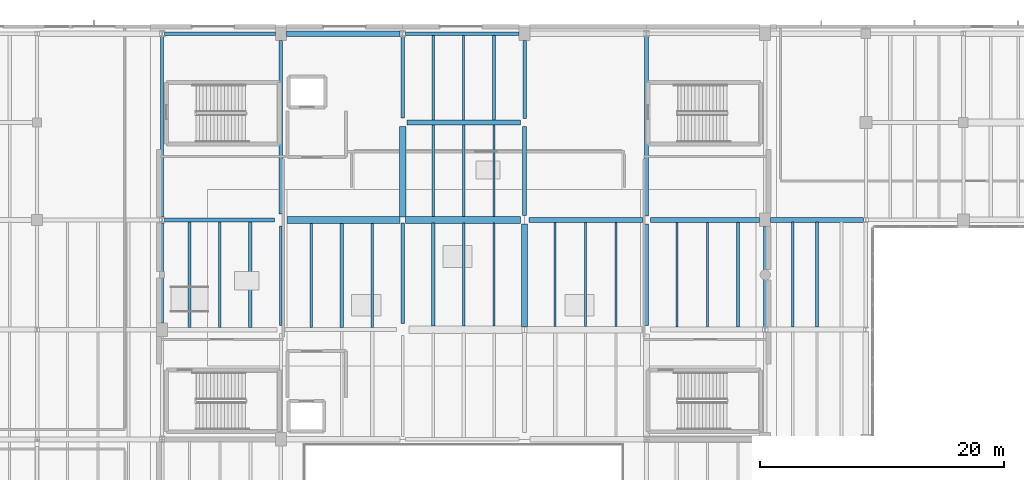
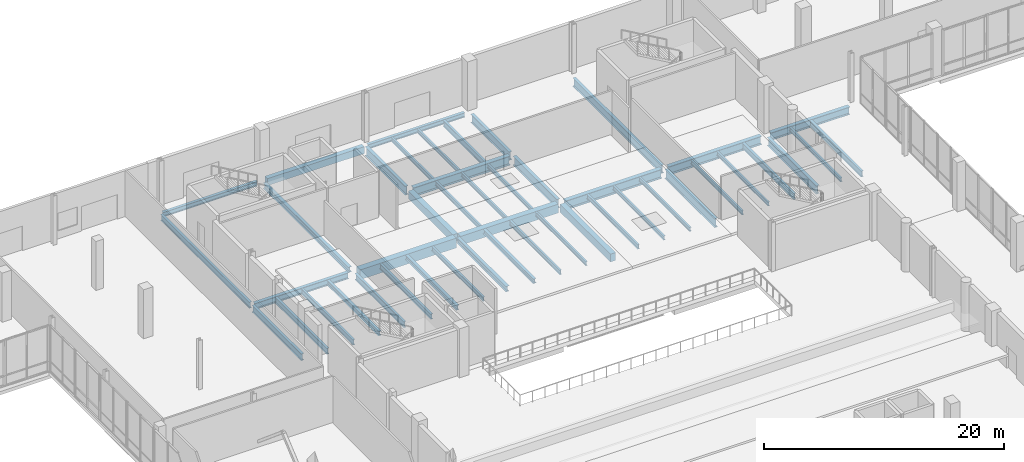
# One storey, part 47 of 88: 46 beams.
"""IFC4 building model written with IfcOpenShell, lengths in metres."""

from ifc_helpers import new_model, si_unit, direction, frame, origin, origin_2d, place, context, subcontext, project, spatial, rectangle, i_section, extrude, material, material_profile, profile_set, type_object, element, save


model = new_model("IFC4")

# Units and contexts
model_context = context("Model", 3, precision=1e-05, world=origin(), true_north=direction((0.0, 1.0)))
body_context = subcontext(model_context, "Body", "Model", "MODEL_VIEW")
ifc_project = project(units=[si_unit("LENGTHUNIT", "METRE"), si_unit("AREAUNIT", "SQUARE_METRE"), si_unit("VOLUMEUNIT", "CUBIC_METRE"), si_unit("PLANEANGLEUNIT", "RADIAN"), si_unit("MASSUNIT", "GRAM", prefix="KILO")], contexts=[model_context])

# Site, building, storey
site_placement = place(None, origin())
site = spatial("IfcSite", under=ifc_project, at=site_placement, CompositionType="ELEMENT")
building_placement = place(site_placement, origin())
building = spatial("IfcBuilding", under=site, at=building_placement, Name="Trimount Lyric Opera House", CompositionType="ELEMENT")
storey_placement = place(building_placement, origin())
storey = spatial("IfcBuildingStorey", under=building, at=storey_placement, Name="L00", CompositionType="ELEMENT", Elevation=0.0)

# Beams
ifc_material_1 = material(Name="Steel ASTM A992 Grade 50", Category="steel")
ifc_material_profile_1 = material_profile(ifc_material_1, i_section(OverallWidth=0.4189453125, OverallDepth=0.927001953125, WebThickness=0.019287109375, FlangeThickness=0.031982421875, FilletRadius=0.02392578125, at=origin_2d()), Name="W36X231")
ifc_profile_set_1 = profile_set([ifc_material_profile_1], Name="Steel ASTM A992 Grade 50")
beam_type_1 = type_object("IfcBeamType", Name="B-02", PredefinedType="BEAM", material=ifc_profile_set_1)
for number, where, z_axis, x_axis, name in (
    (1, (94.35009765625, 102.0, -0.863525390625), (1.0, 0.0, 0.0), (0.0, 1.0, 0.0), "L00 girder X-0196"),
    (2, (84.35009765625, 110.0, -0.863525390625), (1.0, 0.0, 0.0), (0.0, 1.0, 0.0), "L00 girder X-0211"),
):
    element("IfcBeam", number, at=place(storey_placement, frame(where, z_axis=z_axis, x_axis=x_axis)), inside=storey, type_object=beam_type_1, Name=name, PredefinedType="BEAM", context=body_context, shape_type="SweptSolid", body=[
        extrude(i_section(OverallWidth=0.4189453125, OverallDepth=0.927001953125, WebThickness=0.019287109375, FlangeThickness=0.031982421875, FilletRadius=0.02392578125, at=origin_2d()), origin(), (0.0, 0.0, 1.0), 9.324951171875),
    ])
ifc_material_2 = material(Name="Steel ASTM A992 Grade 50", Category="steel")
ifc_material_profile_2 = material_profile(ifc_material_2, i_section(OverallWidth=0.304931640625, OverallDepth=0.9189453125, WebThickness=0.017333984375, FlangeThickness=0.02783203125, FilletRadius=0.02001953125, at=origin_2d()), Name="W36X170")
ifc_profile_set_2 = profile_set([ifc_material_profile_2], Name="Steel ASTM A992 Grade 50")
beam_type_2 = type_object("IfcBeamType", Name="B-03", PredefinedType="BEAM", material=ifc_profile_set_2)
beam_1_placement = place(storey_placement, frame((84.0, 110.35009765625, -0.859619140625), z_axis=(0.0, 1.0, 0.0), x_axis=(-1.0, 0.0, 0.0)))
element("IfcBeam", 3, at=beam_1_placement, inside=storey, type_object=beam_type_2, Name="L00 girder Y-0344", PredefinedType="BEAM", context=body_context, shape_type="SweptSolid", body=[
    extrude(i_section(OverallWidth=0.304931640625, OverallDepth=0.9189453125, WebThickness=0.017333984375, FlangeThickness=0.02783203125, FilletRadius=0.02001953125, at=origin_2d()), origin(), (0.0, 0.0, 1.0), 6.697509765625),
])
beam_2_placement = place(storey_placement, frame((94.0, 102.35009765625, -0.859619140625), z_axis=(0.0, 1.0, 0.0), x_axis=(-1.0, 0.0, 0.0)))
element("IfcBeam", 4, at=beam_2_placement, inside=storey, type_object=beam_type_2, Name="L00 girder Y-0355", PredefinedType="BEAM", context=body_context, shape_type="SweptSolid", body=[
    extrude(i_section(OverallWidth=0.304931640625, OverallDepth=0.9189453125, WebThickness=0.017333984375, FlangeThickness=0.02783203125, FilletRadius=0.02001953125, at=origin_2d()), origin(), (0.0, 0.0, 1.0), 7.324951171875),
])
beam_3_placement = place(storey_placement, frame((104.0, 93.35009765625, -0.859619140625), z_axis=(0.0, 1.0, 0.0), x_axis=(-1.0, 0.0, 0.0)))
element("IfcBeam", 5, at=beam_3_placement, inside=storey, type_object=beam_type_2, Name="L00 girder Y-0367", PredefinedType="BEAM", context=body_context, shape_type="SweptSolid", body=[
    extrude(i_section(OverallWidth=0.304931640625, OverallDepth=0.9189453125, WebThickness=0.017333984375, FlangeThickness=0.02783203125, FilletRadius=0.02001953125, at=origin_2d()), origin(), (0.0, 0.0, 1.0), 8.324951171875),
])
ifc_material_3 = material(Name="Steel ASTM A992 Grade 50", Category="steel")
ifc_material_profile_3 = material_profile(ifc_material_3, i_section(OverallWidth=0.40087890625, OverallDepth=0.861083984375, WebThickness=0.019775390625, FlangeThickness=0.032470703125, FilletRadius=0.02001953125, at=origin_2d()), Name="W33X221")
ifc_profile_set_3 = profile_set([ifc_material_profile_3], Name="Steel ASTM A992 Grade 50")
beam_type_3 = type_object("IfcBeamType", Name="B-04", PredefinedType="BEAM", material=ifc_profile_set_3)
beam_4_placement = place(storey_placement, frame((104.324951171875, 102.0, -0.83056640625), z_axis=(1.0, 0.0, 0.0), x_axis=(0.0, 1.0, 0.0)))
element("IfcBeam", 6, at=beam_4_placement, inside=storey, type_object=beam_type_3, Name="L00 girder X-0197", PredefinedType="BEAM", context=body_context, shape_type="SweptSolid", body=[
    extrude(i_section(OverallWidth=0.40087890625, OverallDepth=0.861083984375, WebThickness=0.019775390625, FlangeThickness=0.032470703125, FilletRadius=0.02001953125, at=origin_2d()), origin(), (0.0, 0.0, 1.0), 8.965087890625),
])
ifc_material_4 = material(Name="Steel ASTM A992 Grade 50", Category="steel")
ifc_material_profile_4 = material_profile(ifc_material_4, i_section(OverallWidth=0.2919921875, OverallDepth=0.845947265625, WebThickness=0.015380859375, FlangeThickness=0.0244140625, FilletRadius=0.01806640625, at=origin_2d()), Name="W33X141")
ifc_profile_set_4 = profile_set([ifc_material_profile_4], Name="Steel ASTM A992 Grade 50")
beam_type_4 = type_object("IfcBeamType", Name="B-05", PredefinedType="BEAM", material=ifc_profile_set_4)
beam_5_placement = place(storey_placement, frame((94.0, 110.324951171875, -0.822998046875), z_axis=(0.0, 1.0, 0.0), x_axis=(-1.0, 0.0, 0.0)))
element("IfcBeam", 7, at=beam_5_placement, inside=storey, type_object=beam_type_4, Name="L00 girder Y-0356", PredefinedType="BEAM", context=body_context, shape_type="SweptSolid", body=[
    extrude(i_section(OverallWidth=0.2919921875, OverallDepth=0.845947265625, WebThickness=0.015380859375, FlangeThickness=0.0244140625, FilletRadius=0.01806640625, at=origin_2d()), origin(), (0.0, 0.0, 1.0), 6.405029296875),
])
beam_6_placement = place(storey_placement, frame((104.0, 102.324951171875, -0.822998046875), z_axis=(0.0, 1.0, 0.0), x_axis=(-1.0, 0.0, 0.0)))
element("IfcBeam", 8, at=beam_6_placement, inside=storey, type_object=beam_type_4, Name="L00 girder Y-0368", PredefinedType="BEAM", context=body_context, shape_type="SweptSolid", body=[
    extrude(i_section(OverallWidth=0.2919921875, OverallDepth=0.845947265625, WebThickness=0.015380859375, FlangeThickness=0.0244140625, FilletRadius=0.01806640625, at=origin_2d()), origin(), (0.0, 0.0, 1.0), 14.72265625),
])
beam_7_placement = place(storey_placement, frame((113.739990234375, 93.232421875, -0.822998046875), z_axis=(0.0, 1.0, 0.0), x_axis=(-1.0, 0.0, 0.0)))
element("IfcBeam", 9, at=beam_7_placement, inside=storey, type_object=beam_type_4, Name="L00 girder Y-0379", PredefinedType="BEAM", context=body_context, shape_type="SweptSolid", body=[
    extrude(i_section(OverallWidth=0.2919921875, OverallDepth=0.845947265625, WebThickness=0.015380859375, FlangeThickness=0.0244140625, FilletRadius=0.01806640625, at=origin_2d()), origin(), (0.0, 0.0, 1.0), 8.217529296875),
])
ifc_material_5 = material(Name="Steel ASTM A992 Grade 50", Category="steel")
ifc_material_profile_5 = material_profile(ifc_material_5, i_section(OverallWidth=0.382080078125, OverallDepth=0.779052734375, WebThickness=0.01806640625, FlangeThickness=0.0302734375, FilletRadius=0.01904296875, at=origin_2d()), Name="W30X191")
ifc_profile_set_5 = profile_set([ifc_material_profile_5], Name="Steel ASTM A992 Grade 50")
beam_type_5 = type_object("IfcBeamType", Name="B-06", PredefinedType="BEAM", material=ifc_profile_set_5)
beam_8_placement = place(storey_placement, frame((114.18994140625, 102.0, -0.78955078125), z_axis=(1.0, 0.0, 0.0), x_axis=(0.0, 1.0, 0.0)))
element("IfcBeam", 10, at=beam_8_placement, inside=storey, type_object=beam_type_5, Name="L00 girder X-0198", PredefinedType="BEAM", context=body_context, shape_type="SweptSolid", body=[
    extrude(i_section(OverallWidth=0.382080078125, OverallDepth=0.779052734375, WebThickness=0.01806640625, FlangeThickness=0.0302734375, FilletRadius=0.01904296875, at=origin_2d()), origin(), (0.0, 0.0, 1.0), 7.610595703125),
])
ifc_material_6 = material(Name="Steel ASTM A992 Grade 50", Category="steel")
ifc_material_profile_6 = material_profile(ifc_material_6, i_section(OverallWidth=0.25390625, OverallDepth=0.68798828125, WebThickness=0.01318359375, FlangeThickness=0.02099609375, FilletRadius=0.01611328125, at=origin_2d()), Name="W27X102")
ifc_profile_set_6 = profile_set([ifc_material_profile_6], Name="Steel ASTM A992 Grade 50")
beam_type_6 = type_object("IfcBeamType", Name="B-09", PredefinedType="BEAM", material=ifc_profile_set_6)
beam_9_placement = place(storey_placement, frame((64.260009765625, 93.550048828125, -0.743896484375), z_axis=(0.0, 1.0, 0.0), x_axis=(-1.0, 0.0, 0.0)))
element("IfcBeam", 11, at=beam_9_placement, inside=storey, type_object=beam_type_6, Name="L00 girder Y-0319", PredefinedType="BEAM", context=body_context, shape_type="SweptSolid", body=[
    extrude(i_section(OverallWidth=0.25390625, OverallDepth=0.68798828125, WebThickness=0.01318359375, FlangeThickness=0.02099609375, FilletRadius=0.01611328125, at=origin_2d()), origin(), (0.0, 0.0, 1.0), 8.217529296875),
])
ifc_material_7 = material(Name="Steel ASTM A992 Grade 50", Category="steel")
ifc_material_profile_7 = material_profile(ifc_material_7, i_section(OverallWidth=0.327880859375, OverallDepth=0.626953125, WebThickness=0.0166015625, FlangeThickness=0.027587890625, FilletRadius=0.01611328125, at=origin_2d()), Name="W24X146")
ifc_profile_set_7 = profile_set([ifc_material_profile_7], Name="Steel ASTM A992 Grade 50")
beam_type_7 = type_object("IfcBeamType", Name="B-10", PredefinedType="BEAM", material=ifc_profile_set_7)
beam_10_placement = place(storey_placement, frame((64.470947265625, 102.0, -0.71337890625), z_axis=(1.0, 0.0, 0.0), x_axis=(0.0, 1.0, 0.0)))
element("IfcBeam", 12, at=beam_10_placement, inside=storey, type_object=beam_type_7, Name="L00 girder X-0193", PredefinedType="BEAM", context=body_context, shape_type="SweptSolid", body=[
    extrude(i_section(OverallWidth=0.327880859375, OverallDepth=0.626953125, WebThickness=0.0166015625, FlangeThickness=0.027587890625, FilletRadius=0.01611328125, at=origin_2d()), origin(), (0.0, 0.0, 1.0), 9.029052734375),
])
ifc_material_8 = material(Name="Steel ASTM A992 Grade 50", Category="steel")
ifc_material_profile_8 = material_profile(ifc_material_8, i_section(OverallWidth=0.22998046875, OverallDepth=0.616943359375, WebThickness=0.01318359375, FlangeThickness=0.022216796875, FilletRadius=0.013916015625, at=origin_2d()), Name="W24X94")
ifc_profile_set_8 = profile_set([ifc_material_profile_8], Name="Steel ASTM A992 Grade 50")
beam_type_8 = type_object("IfcBeamType", Name="B-11", PredefinedType="BEAM", material=ifc_profile_set_8)
beam_11_placement = place(storey_placement, frame((64.260009765625, 102.232421875, -0.70849609375), z_axis=(0.0, 1.0, 0.0), x_axis=(-1.0, 0.0, 0.0)))
element("IfcBeam", 13, at=beam_11_placement, inside=storey, type_object=beam_type_8, Name="L00 girder Y-0320", PredefinedType="BEAM", context=body_context, shape_type="SweptSolid", body=[
    extrude(i_section(OverallWidth=0.22998046875, OverallDepth=0.616943359375, WebThickness=0.01318359375, FlangeThickness=0.022216796875, FilletRadius=0.013916015625, at=origin_2d()), origin(), (0.0, 0.0, 1.0), 14.815185546875),
])
beam_12_placement = place(storey_placement, frame((74.0, 93.324951171875, -0.70849609375), z_axis=(0.0, 1.0, 0.0), x_axis=(-1.0, 0.0, 0.0)))
element("IfcBeam", 14, at=beam_12_placement, inside=storey, type_object=beam_type_8, Name="L00 girder Y-0331", PredefinedType="BEAM", context=body_context, shape_type="SweptSolid", body=[
    extrude(i_section(OverallWidth=0.22998046875, OverallDepth=0.616943359375, WebThickness=0.01318359375, FlangeThickness=0.022216796875, FilletRadius=0.013916015625, at=origin_2d()), origin(), (0.0, 0.0, 1.0), 8.175048828125),
])
ifc_material_9 = material(Name="Steel ASTM A992 Grade 50", Category="steel")
ifc_material_profile_9 = material_profile(ifc_material_9, i_section(OverallWidth=0.31201171875, OverallDepth=0.5458984375, WebThickness=0.013916015625, FlangeThickness=0.022216796875, FilletRadius=0.014892578125, at=origin_2d()), Name="W21X111")
ifc_profile_set_9 = profile_set([ifc_material_profile_9], Name="Steel ASTM A992 Grade 50")
beam_type_9 = type_object("IfcBeamType", Name="B-12", PredefinedType="BEAM", material=ifc_profile_set_9)
beam_13_placement = place(storey_placement, frame((74.0, 102.5, -0.673095703125), z_axis=(0.0, 1.0, 0.0), x_axis=(-1.0, 0.0, 0.0)))
element("IfcBeam", 15, at=beam_13_placement, inside=storey, type_object=beam_type_9, Name="L00 girder Y-0332", PredefinedType="BEAM", context=body_context, shape_type="SweptSolid", body=[
    extrude(i_section(OverallWidth=0.31201171875, OverallDepth=0.5458984375, WebThickness=0.013916015625, FlangeThickness=0.022216796875, FilletRadius=0.014892578125, at=origin_2d()), origin(), (0.0, 0.0, 1.0), 14.22998046875),
])
beam_14_placement = place(storey_placement, frame((84.0, 93.5, -0.673095703125), z_axis=(0.0, 1.0, 0.0), x_axis=(-1.0, 0.0, 0.0)))
element("IfcBeam", 16, at=beam_14_placement, inside=storey, type_object=beam_type_9, Name="L00 girder Y-0342", PredefinedType="BEAM", context=body_context, shape_type="SweptSolid", body=[
    extrude(i_section(OverallWidth=0.31201171875, OverallDepth=0.5458984375, WebThickness=0.013916015625, FlangeThickness=0.022216796875, FilletRadius=0.014892578125, at=origin_2d()), origin(), (0.0, 0.0, 1.0), 8.267578125),
])
ifc_material_10 = material(Name="Concrete C40/50", Category="concrete")
ifc_material_profile_10 = material_profile(ifc_material_10, rectangle(XDim=0.60009765625, YDim=1.0, at=origin_2d()), Name="RC600X1000")
ifc_profile_set_10 = profile_set([ifc_material_profile_10], Name="Concrete C40/50")
beam_type_10 = type_object("IfcBeamType", Name="B-13", PredefinedType="BEAM", material=ifc_profile_set_10)
beam_15_placement = place(storey_placement, frame((74.5, 102.0, -0.89990234375), z_axis=(1.0, 0.0, 0.0), x_axis=(0.0, 1.0, 0.0)))
element("IfcBeam", 17, at=beam_15_placement, inside=storey, type_object=beam_type_10, Name="L00 girder X-0194", PredefinedType="BEAM", context=body_context, shape_type="SweptSolid", body=[
    extrude(rectangle(XDim=0.60009765625, YDim=1.0, at=origin_2d()), origin(), (0.0, 0.0, 1.0), 9.2890625),
])
ifc_material_11 = material(Name="Concrete C40/50", Category="concrete")
ifc_material_profile_11 = material_profile(ifc_material_11, rectangle(XDim=0.550048828125, YDim=0.89990234375, at=origin_2d()), Name="RC550X900")
ifc_profile_set_11 = profile_set([ifc_material_profile_11], Name="Concrete C40/50")
beam_type_11 = type_object("IfcBeamType", Name="B-14", PredefinedType="BEAM", material=ifc_profile_set_11)
beam_16_placement = place(storey_placement, frame((84.2109375, 102.0, -0.85009765625), z_axis=(1.0, 0.0, 0.0), x_axis=(0.0, 1.0, 0.0)))
element("IfcBeam", 18, at=beam_16_placement, inside=storey, type_object=beam_type_11, Name="L00 girder X-0195", PredefinedType="BEAM", context=body_context, shape_type="SweptSolid", body=[
    extrude(rectangle(XDim=0.550048828125, YDim=0.89990234375, at=origin_2d()), origin(), (0.0, 0.0, 1.0), 9.43896484375),
])
ifc_material_12 = material(Name="Concrete C40/50", Category="concrete")
ifc_material_profile_12 = material_profile(ifc_material_12, rectangle(XDim=0.5, YDim=0.800048828125, at=origin_2d()), Name="RC500X800")
ifc_profile_set_12 = profile_set([ifc_material_profile_12], Name="Concrete C40/50")
beam_type_12 = type_object("IfcBeamType", Name="B-15", PredefinedType="BEAM", material=ifc_profile_set_12)
beam_17_placement = place(storey_placement, frame((84.0, 102.232421875, -0.800048828125), z_axis=(0.0, 1.0, 0.0), x_axis=(-1.0, 0.0, 0.0)))
element("IfcBeam", 19, at=beam_17_placement, inside=storey, type_object=beam_type_12, Name="L00 girder Y-0343", PredefinedType="BEAM", context=body_context, shape_type="SweptSolid", body=[
    extrude(rectangle(XDim=0.5, YDim=0.800048828125, at=origin_2d()), origin(), (0.0, 0.0, 1.0), 7.41748046875),
])
beam_18_placement = place(storey_placement, frame((94.0, 93.232421875, -0.800048828125), z_axis=(0.0, 1.0, 0.0), x_axis=(-1.0, 0.0, 0.0)))
element("IfcBeam", 20, at=beam_18_placement, inside=storey, type_object=beam_type_12, Name="L00 girder Y-0354", PredefinedType="BEAM", context=body_context, shape_type="SweptSolid", body=[
    extrude(rectangle(XDim=0.5, YDim=0.800048828125, at=origin_2d()), origin(), (0.0, 0.0, 1.0), 8.41748046875),
])
ifc_material_13 = material(Name="Steel ASTM A992 Grade 50", Category="steel")
ifc_material_profile_13 = material_profile(ifc_material_13, i_section(OverallWidth=0.22802734375, OverallDepth=0.60205078125, WebThickness=0.010498046875, FlangeThickness=0.014892578125, FilletRadius=0.012939453125, at=origin_2d()), Name="W24X68")
ifc_profile_set_13 = profile_set([ifc_material_profile_13], Name="Steel ASTM A992 Grade 50")
beam_type_13 = type_object("IfcBeamType", Name="J-01", PredefinedType="BEAM", material=ifc_profile_set_13)
beam_19_placement = place(storey_placement, frame((66.5, 93.174072265625, -0.700927734375), z_axis=(0.0, 1.0, 0.0), x_axis=(-1.0, 0.0, 0.0)))
element("IfcBeam", 21, at=beam_19_placement, inside=storey, type_object=beam_type_13, Name="L00 composite floor joist 0211", PredefinedType="BEAM", context=body_context, shape_type="SweptSolid", body=[
    extrude(i_section(OverallWidth=0.22802734375, OverallDepth=0.60205078125, WebThickness=0.010498046875, FlangeThickness=0.014892578125, FilletRadius=0.012939453125, at=origin_2d()), origin(), (0.0, 0.0, 1.0), 8.666015625),
])
beam_20_placement = place(storey_placement, frame((91.5, 110.20556640625, -0.700927734375), z_axis=(0.0, 1.0, 0.0), x_axis=(-1.0, 0.0, 0.0)))
element("IfcBeam", 22, at=beam_20_placement, inside=storey, type_object=beam_type_13, Name="L00 composite floor joist 0277", PredefinedType="BEAM", context=body_context, shape_type="SweptSolid", body=[
    extrude(i_section(OverallWidth=0.22802734375, OverallDepth=0.60205078125, WebThickness=0.010498046875, FlangeThickness=0.014892578125, FilletRadius=0.012939453125, at=origin_2d()), origin(), (0.0, 0.0, 1.0), 6.9375),
])
beam_21_placement = place(storey_placement, frame((111.5, 93.20556640625, -0.700927734375), z_axis=(0.0, 1.0, 0.0), x_axis=(-1.0, 0.0, 0.0)))
element("IfcBeam", 23, at=beam_21_placement, inside=storey, type_object=beam_type_13, Name="L00 composite floor joist 0335", PredefinedType="BEAM", context=body_context, shape_type="SweptSolid", body=[
    extrude(i_section(OverallWidth=0.22802734375, OverallDepth=0.60205078125, WebThickness=0.010498046875, FlangeThickness=0.014892578125, FilletRadius=0.012939453125, at=origin_2d()), origin(), (0.0, 0.0, 1.0), 8.597900390625),
])
beam_22_placement = place(storey_placement, frame((118.0, 93.196533203125, -0.680908203125), z_axis=(0.0, 1.0, 0.0), x_axis=(-1.0, 0.0, 0.0)))
element("IfcBeam", 24, at=beam_22_placement, inside=storey, type_object=beam_type_13, Name="L00 composite floor joist 0367", PredefinedType="BEAM", context=body_context, shape_type="SweptSolid", body=[
    extrude(i_section(OverallWidth=0.22802734375, OverallDepth=0.60205078125, WebThickness=0.010498046875, FlangeThickness=0.014892578125, FilletRadius=0.012939453125, at=origin_2d()), origin(), (0.0, 0.0, 1.0), 8.616455078125),
])
ifc_material_14 = material(Name="Steel ASTM A992 Grade 50", Category="steel")
ifc_material_profile_14 = material_profile(ifc_material_14, i_section(OverallWidth=0.2099609375, OverallDepth=0.532958984375, WebThickness=0.01025390625, FlangeThickness=0.015625, FilletRadius=0.012939453125, at=origin_2d()), Name="W21X62")
ifc_profile_set_14 = profile_set([ifc_material_profile_14], Name="Steel ASTM A992 Grade 50")
beam_type_14 = type_object("IfcBeamType", Name="J-02", PredefinedType="BEAM", material=ifc_profile_set_14)
beam_23_placement = place(storey_placement, frame((69.0, 93.174072265625, -0.66650390625), z_axis=(0.0, 1.0, 0.0), x_axis=(-1.0, 0.0, 0.0)))
element("IfcBeam", 25, at=beam_23_placement, inside=storey, type_object=beam_type_14, Name="L00 composite floor joist 0212", PredefinedType="BEAM", context=body_context, shape_type="SweptSolid", body=[
    extrude(i_section(OverallWidth=0.2099609375, OverallDepth=0.532958984375, WebThickness=0.01025390625, FlangeThickness=0.015625, FilletRadius=0.012939453125, at=origin_2d()), origin(), (0.0, 0.0, 1.0), 8.666015625),
])
beam_24_placement = place(storey_placement, frame((76.5, 93.159912109375, -0.66650390625), z_axis=(0.0, 1.0, 0.0), x_axis=(-1.0, 0.0, 0.0)))
element("IfcBeam", 26, at=beam_24_placement, inside=storey, type_object=beam_type_14, Name="L00 composite floor joist 0239", PredefinedType="BEAM", context=body_context, shape_type="SweptSolid", body=[
    extrude(i_section(OverallWidth=0.2099609375, OverallDepth=0.532958984375, WebThickness=0.01025390625, FlangeThickness=0.015625, FilletRadius=0.012939453125, at=origin_2d()), origin(), (0.0, 0.0, 1.0), 8.544189453125),
])
ifc_material_15 = material(Name="Steel ASTM A992 Grade 50", Category="steel")
ifc_material_profile_15 = material_profile(ifc_material_15, i_section(OverallWidth=0.281982421875, OverallDepth=0.467041015625, WebThickness=0.01220703125, FlangeThickness=0.01953125, FilletRadius=0.012939453125, at=origin_2d()), Name="W18X86")
ifc_profile_set_15 = profile_set([ifc_material_profile_15], Name="Steel ASTM A992 Grade 50")
beam_type_15 = type_object("IfcBeamType", Name="J-03", PredefinedType="BEAM", material=ifc_profile_set_15)
beam_25_placement = place(storey_placement, frame((71.5, 93.174072265625, -0.633544921875), z_axis=(0.0, 1.0, 0.0), x_axis=(-1.0, 0.0, 0.0)))
element("IfcBeam", 27, at=beam_25_placement, inside=storey, type_object=beam_type_15, Name="L00 composite floor joist 0213", PredefinedType="BEAM", context=body_context, shape_type="SweptSolid", body=[
    extrude(i_section(OverallWidth=0.281982421875, OverallDepth=0.467041015625, WebThickness=0.01220703125, FlangeThickness=0.01953125, FilletRadius=0.012939453125, at=origin_2d()), origin(), (0.0, 0.0, 1.0), 8.666015625),
])
beam_26_placement = place(storey_placement, frame((79.0, 93.159912109375, -0.633544921875), z_axis=(0.0, 1.0, 0.0), x_axis=(-1.0, 0.0, 0.0)))
element("IfcBeam", 28, at=beam_26_placement, inside=storey, type_object=beam_type_15, Name="L00 composite floor joist 0240", PredefinedType="BEAM", context=body_context, shape_type="SweptSolid", body=[
    extrude(i_section(OverallWidth=0.281982421875, OverallDepth=0.467041015625, WebThickness=0.01220703125, FlangeThickness=0.01953125, FilletRadius=0.012939453125, at=origin_2d()), origin(), (0.0, 0.0, 1.0), 8.544189453125),
])
beam_27_placement = place(storey_placement, frame((86.5, 93.2958984375, -0.633544921875), z_axis=(0.0, 1.0, 0.0), x_axis=(-1.0, 0.0, 0.0)))
element("IfcBeam", 29, at=beam_27_placement, inside=storey, type_object=beam_type_15, Name="L00 composite floor joist 0269", PredefinedType="BEAM", context=body_context, shape_type="SweptSolid", body=[
    extrude(i_section(OverallWidth=0.281982421875, OverallDepth=0.467041015625, WebThickness=0.01220703125, FlangeThickness=0.01953125, FilletRadius=0.012939453125, at=origin_2d()), origin(), (0.0, 0.0, 1.0), 8.43310546875),
])
ifc_material_16 = material(Name="Steel ASTM A992 Grade 50", Category="steel")
ifc_material_profile_16 = material_profile(ifc_material_16, i_section(OverallWidth=0.19091796875, OverallDepth=0.45703125, WebThickness=0.009033203125, FlangeThickness=0.014404296875, FilletRadius=0.010986328125, at=origin_2d()), Name="W18X50")
ifc_profile_set_16 = profile_set([ifc_material_profile_16], Name="Steel ASTM A992 Grade 50")
beam_type_16 = type_object("IfcBeamType", Name="J-04", PredefinedType="BEAM", material=ifc_profile_set_16)
beam_28_placement = place(storey_placement, frame((81.5, 93.159912109375, -0.62841796875), z_axis=(0.0, 1.0, 0.0), x_axis=(-1.0, 0.0, 0.0)))
element("IfcBeam", 30, at=beam_28_placement, inside=storey, type_object=beam_type_16, Name="L00 composite floor joist 0241", PredefinedType="BEAM", context=body_context, shape_type="SweptSolid", body=[
    extrude(i_section(OverallWidth=0.19091796875, OverallDepth=0.45703125, WebThickness=0.009033203125, FlangeThickness=0.014404296875, FilletRadius=0.010986328125, at=origin_2d()), origin(), (0.0, 0.0, 1.0), 8.544189453125),
])
beam_29_placement = place(storey_placement, frame((89.0, 93.2958984375, -0.62841796875), z_axis=(0.0, 1.0, 0.0), x_axis=(-1.0, 0.0, 0.0)))
element("IfcBeam", 31, at=beam_29_placement, inside=storey, type_object=beam_type_16, Name="L00 composite floor joist 0270", PredefinedType="BEAM", context=body_context, shape_type="SweptSolid", body=[
    extrude(i_section(OverallWidth=0.19091796875, OverallDepth=0.45703125, WebThickness=0.009033203125, FlangeThickness=0.014404296875, FilletRadius=0.010986328125, at=origin_2d()), origin(), (0.0, 0.0, 1.0), 8.43310546875),
])
beam_30_placement = place(storey_placement, frame((86.5, 102.27099609375, -0.62841796875), z_axis=(0.0, 1.0, 0.0), x_axis=(-1.0, 0.0, 0.0)))
element("IfcBeam", 32, at=beam_30_placement, inside=storey, type_object=beam_type_16, Name="L00 composite floor joist 0272", PredefinedType="BEAM", context=body_context, shape_type="SweptSolid", body=[
    extrude(i_section(OverallWidth=0.19091796875, OverallDepth=0.45703125, WebThickness=0.009033203125, FlangeThickness=0.014404296875, FilletRadius=0.010986328125, at=origin_2d()), origin(), (0.0, 0.0, 1.0), 7.5234375),
])
beam_31_placement = place(storey_placement, frame((96.5, 93.27099609375, -0.62841796875), z_axis=(0.0, 1.0, 0.0), x_axis=(-1.0, 0.0, 0.0)))
element("IfcBeam", 33, at=beam_31_placement, inside=storey, type_object=beam_type_16, Name="L00 composite floor joist 0303", PredefinedType="BEAM", context=body_context, shape_type="SweptSolid", body=[
    extrude(i_section(OverallWidth=0.19091796875, OverallDepth=0.45703125, WebThickness=0.009033203125, FlangeThickness=0.014404296875, FilletRadius=0.010986328125, at=origin_2d()), origin(), (0.0, 0.0, 1.0), 8.5234375),
])
ifc_material_17 = material(Name="Steel ASTM A992 Grade 50", Category="steel")
ifc_material_profile_17 = material_profile(ifc_material_17, i_section(OverallWidth=0.180908203125, OverallDepth=0.4169921875, WebThickness=0.010986328125, FlangeThickness=0.018310546875, FilletRadius=0.010986328125, at=origin_2d()), Name="W16X57")
ifc_profile_set_17 = profile_set([ifc_material_profile_17], Name="Steel ASTM A992 Grade 50")
beam_type_17 = type_object("IfcBeamType", Name="J-05", PredefinedType="BEAM", material=ifc_profile_set_17)
beam_32_placement = place(storey_placement, frame((91.5, 93.2958984375, -0.6083984375), z_axis=(0.0, 1.0, 0.0), x_axis=(-1.0, 0.0, 0.0)))
element("IfcBeam", 34, at=beam_32_placement, inside=storey, type_object=beam_type_17, Name="L00 composite floor joist 0271", PredefinedType="BEAM", context=body_context, shape_type="SweptSolid", body=[
    extrude(i_section(OverallWidth=0.180908203125, OverallDepth=0.4169921875, WebThickness=0.010986328125, FlangeThickness=0.018310546875, FilletRadius=0.010986328125, at=origin_2d()), origin(), (0.0, 0.0, 1.0), 8.43310546875),
])
beam_33_placement = place(storey_placement, frame((89.0, 102.27099609375, -0.6083984375), z_axis=(0.0, 1.0, 0.0), x_axis=(-1.0, 0.0, 0.0)))
element("IfcBeam", 35, at=beam_33_placement, inside=storey, type_object=beam_type_17, Name="L00 composite floor joist 0273", PredefinedType="BEAM", context=body_context, shape_type="SweptSolid", body=[
    extrude(i_section(OverallWidth=0.180908203125, OverallDepth=0.4169921875, WebThickness=0.010986328125, FlangeThickness=0.018310546875, FilletRadius=0.010986328125, at=origin_2d()), origin(), (0.0, 0.0, 1.0), 7.5234375),
])
beam_34_placement = place(storey_placement, frame((86.5, 110.20556640625, -0.6083984375), z_axis=(0.0, 1.0, 0.0), x_axis=(-1.0, 0.0, 0.0)))
element("IfcBeam", 36, at=beam_34_placement, inside=storey, type_object=beam_type_17, Name="L00 composite floor joist 0275", PredefinedType="BEAM", context=body_context, shape_type="SweptSolid", body=[
    extrude(i_section(OverallWidth=0.180908203125, OverallDepth=0.4169921875, WebThickness=0.010986328125, FlangeThickness=0.018310546875, FilletRadius=0.010986328125, at=origin_2d()), origin(), (0.0, 0.0, 1.0), 6.9375),
])
beam_35_placement = place(storey_placement, frame((99.0, 93.27099609375, -0.6083984375), z_axis=(0.0, 1.0, 0.0), x_axis=(-1.0, 0.0, 0.0)))
element("IfcBeam", 37, at=beam_35_placement, inside=storey, type_object=beam_type_17, Name="L00 composite floor joist 0304", PredefinedType="BEAM", context=body_context, shape_type="SweptSolid", body=[
    extrude(i_section(OverallWidth=0.180908203125, OverallDepth=0.4169921875, WebThickness=0.010986328125, FlangeThickness=0.018310546875, FilletRadius=0.010986328125, at=origin_2d()), origin(), (0.0, 0.0, 1.0), 8.5234375),
])
beam_36_placement = place(storey_placement, frame((106.5, 93.20556640625, -0.6083984375), z_axis=(0.0, 1.0, 0.0), x_axis=(-1.0, 0.0, 0.0)))
element("IfcBeam", 38, at=beam_36_placement, inside=storey, type_object=beam_type_17, Name="L00 composite floor joist 0333", PredefinedType="BEAM", context=body_context, shape_type="SweptSolid", body=[
    extrude(i_section(OverallWidth=0.180908203125, OverallDepth=0.4169921875, WebThickness=0.010986328125, FlangeThickness=0.018310546875, FilletRadius=0.010986328125, at=origin_2d()), origin(), (0.0, 0.0, 1.0), 8.597900390625),
])
ifc_material_18 = material(Name="Steel ASTM A992 Grade 50", Category="steel")
ifc_material_profile_18 = material_profile(ifc_material_18, i_section(OverallWidth=0.177978515625, OverallDepth=0.404052734375, WebThickness=0.007568359375, FlangeThickness=0.010986328125, FilletRadius=0.010009765625, at=origin_2d()), Name="W16X36")
ifc_profile_set_18 = profile_set([ifc_material_profile_18], Name="Steel ASTM A992 Grade 50")
beam_type_18 = type_object("IfcBeamType", Name="J-06", PredefinedType="BEAM", material=ifc_profile_set_18)
beam_37_placement = place(storey_placement, frame((91.5, 102.27099609375, -0.60205078125), z_axis=(0.0, 1.0, 0.0), x_axis=(-1.0, 0.0, 0.0)))
element("IfcBeam", 39, at=beam_37_placement, inside=storey, type_object=beam_type_18, Name="L00 composite floor joist 0274", PredefinedType="BEAM", context=body_context, shape_type="SweptSolid", body=[
    extrude(i_section(OverallWidth=0.177978515625, OverallDepth=0.404052734375, WebThickness=0.007568359375, FlangeThickness=0.010986328125, FilletRadius=0.010009765625, at=origin_2d()), origin(), (0.0, 0.0, 1.0), 7.5234375),
])
beam_38_placement = place(storey_placement, frame((89.0, 110.20556640625, -0.60205078125), z_axis=(0.0, 1.0, 0.0), x_axis=(-1.0, 0.0, 0.0)))
element("IfcBeam", 40, at=beam_38_placement, inside=storey, type_object=beam_type_18, Name="L00 composite floor joist 0276", PredefinedType="BEAM", context=body_context, shape_type="SweptSolid", body=[
    extrude(i_section(OverallWidth=0.177978515625, OverallDepth=0.404052734375, WebThickness=0.007568359375, FlangeThickness=0.010986328125, FilletRadius=0.010009765625, at=origin_2d()), origin(), (0.0, 0.0, 1.0), 6.9375),
])
beam_39_placement = place(storey_placement, frame((101.5, 93.27099609375, -0.60205078125), z_axis=(0.0, 1.0, 0.0), x_axis=(-1.0, 0.0, 0.0)))
element("IfcBeam", 41, at=beam_39_placement, inside=storey, type_object=beam_type_18, Name="L00 composite floor joist 0305", PredefinedType="BEAM", context=body_context, shape_type="SweptSolid", body=[
    extrude(i_section(OverallWidth=0.177978515625, OverallDepth=0.404052734375, WebThickness=0.007568359375, FlangeThickness=0.010986328125, FilletRadius=0.010009765625, at=origin_2d()), origin(), (0.0, 0.0, 1.0), 8.5234375),
])
beam_40_placement = place(storey_placement, frame((109.0, 93.20556640625, -0.60205078125), z_axis=(0.0, 1.0, 0.0), x_axis=(-1.0, 0.0, 0.0)))
element("IfcBeam", 42, at=beam_40_placement, inside=storey, type_object=beam_type_18, Name="L00 composite floor joist 0334", PredefinedType="BEAM", context=body_context, shape_type="SweptSolid", body=[
    extrude(i_section(OverallWidth=0.177978515625, OverallDepth=0.404052734375, WebThickness=0.007568359375, FlangeThickness=0.010986328125, FilletRadius=0.010009765625, at=origin_2d()), origin(), (0.0, 0.0, 1.0), 8.597900390625),
])
beam_41_placement = place(storey_placement, frame((116.0, 93.196533203125, -0.58203125), z_axis=(0.0, 1.0, 0.0), x_axis=(-1.0, 0.0, 0.0)))
element("IfcBeam", 43, at=beam_41_placement, inside=storey, type_object=beam_type_18, Name="L00 composite floor joist 0366", PredefinedType="BEAM", context=body_context, shape_type="SweptSolid", body=[
    extrude(i_section(OverallWidth=0.177978515625, OverallDepth=0.404052734375, WebThickness=0.007568359375, FlangeThickness=0.010986328125, FilletRadius=0.010009765625, at=origin_2d()), origin(), (0.0, 0.0, 1.0), 8.616455078125),
])
ifc_material_19 = material(Name="Steel ASTM A992 Grade 50", Category="steel")
ifc_material_profile_19 = material_profile(ifc_material_19, i_section(OverallWidth=0.281982421875, OverallDepth=0.467041015625, WebThickness=0.01220703125, FlangeThickness=0.01953125, FilletRadius=0.012939453125, at=origin_2d()), Name="W18X86")
ifc_profile_set_19 = profile_set([ifc_material_profile_19], Name="Steel ASTM A992 Grade 50")
beam_type_19 = type_object("IfcBeamType", Name="SP-01", PredefinedType="SPANDREL", material=ifc_profile_set_19)
beam_42_placement = place(storey_placement, frame((64.470947265625, 117.280029296875, -0.633544921875), z_axis=(1.0, 0.0, 0.0), x_axis=(0.0, 1.0, 0.0)))
element("IfcBeam", 44, at=beam_42_placement, inside=storey, type_object=beam_type_19, Name="L00 girder X-0225", PredefinedType="SPANDREL", context=body_context, shape_type="SweptSolid", body=[
    extrude(i_section(OverallWidth=0.281982421875, OverallDepth=0.467041015625, WebThickness=0.01220703125, FlangeThickness=0.01953125, FilletRadius=0.012939453125, at=origin_2d()), origin(), (0.0, 0.0, 1.0), 9.0791015625),
])
beam_43_placement = place(storey_placement, frame((84.2109375, 117.280029296875, -0.633544921875), z_axis=(1.0, 0.0, 0.0), x_axis=(0.0, 1.0, 0.0)))
element("IfcBeam", 45, at=beam_43_placement, inside=storey, type_object=beam_type_19, Name="L00 girder X-0227", PredefinedType="SPANDREL", context=body_context, shape_type="SweptSolid", body=[
    extrude(i_section(OverallWidth=0.281982421875, OverallDepth=0.467041015625, WebThickness=0.01220703125, FlangeThickness=0.01953125, FilletRadius=0.012939453125, at=origin_2d()), origin(), (0.0, 0.0, 1.0), 9.339111328125),
])
ifc_material_20 = material(Name="Concrete C40/50", Category="concrete")
ifc_material_profile_20 = material_profile(ifc_material_20, rectangle(XDim=0.449951171875, YDim=0.699951171875, at=origin_2d()), Name="RC450X700")
ifc_profile_set_20 = profile_set([ifc_material_profile_20], Name="Concrete C40/50")
beam_type_20 = type_object("IfcBeamType", Name="SP-02", PredefinedType="SPANDREL", material=ifc_profile_set_20)
beam_44_placement = place(storey_placement, frame((74.449951171875, 117.280029296875, -0.75), z_axis=(1.0, 0.0, 0.0), x_axis=(0.0, 1.0, 0.0)))
element("IfcBeam", 46, at=beam_44_placement, inside=storey, type_object=beam_type_20, Name="L00 girder X-0226", PredefinedType="SPANDREL", context=body_context, shape_type="SweptSolid", body=[
    extrude(rectangle(XDim=0.449951171875, YDim=0.699951171875, at=origin_2d()), origin(), (0.0, 0.0, 1.0), 9.339111328125),
])

save(model, "model.ifc")
